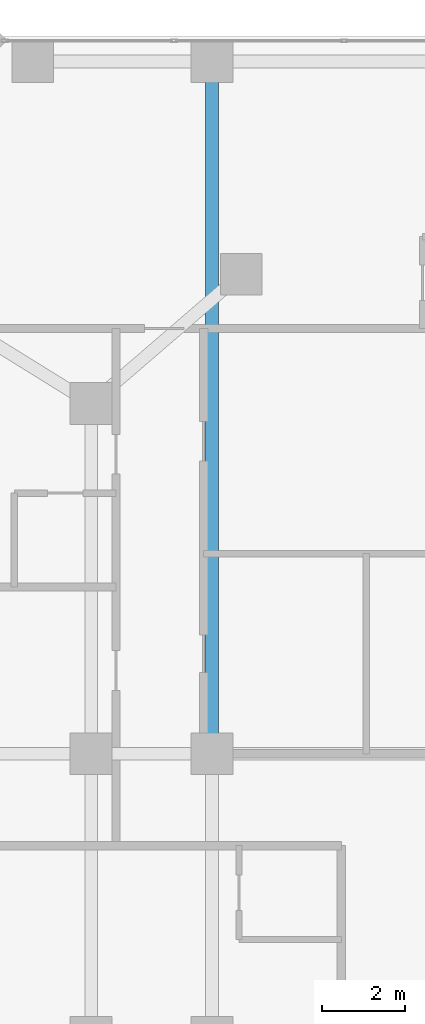
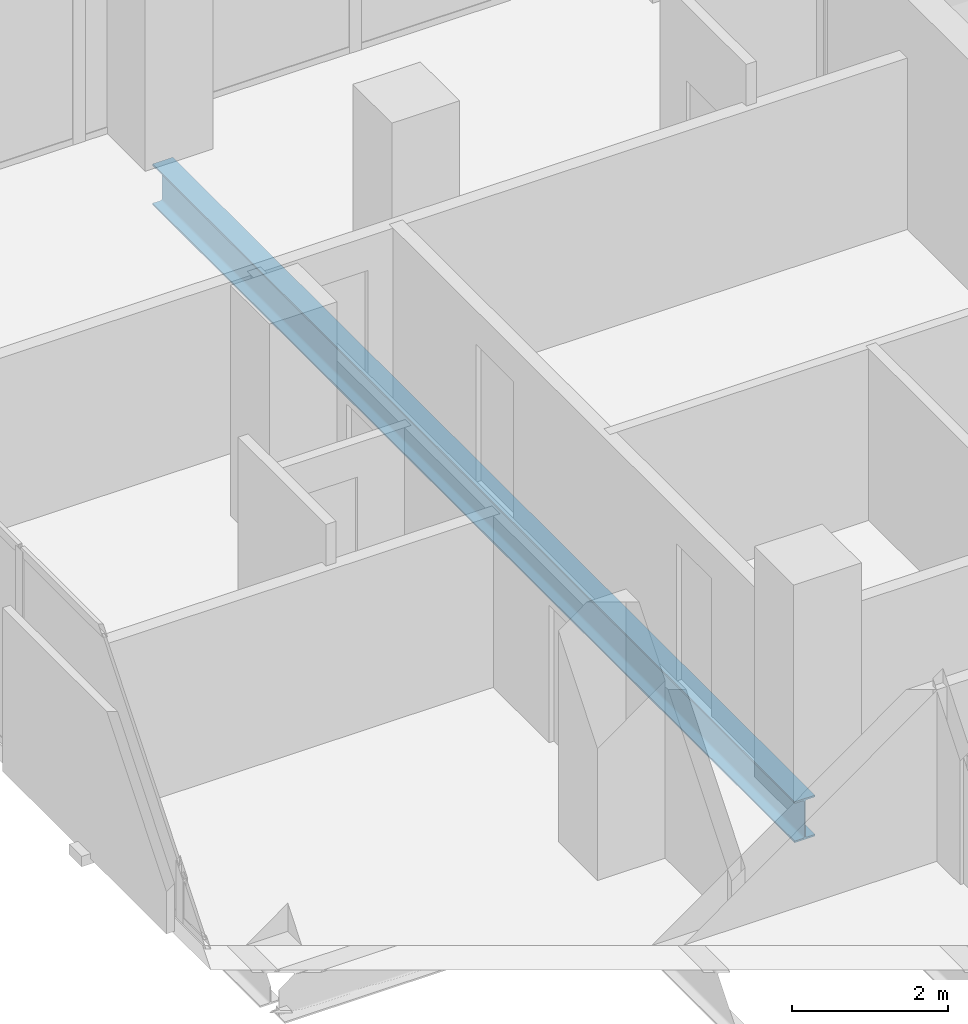
# One storey, part 17 of 32: 1 beam.
"""IFC4 building model written with IfcOpenShell, lengths in metres."""

from ifc_helpers import new_model, si_unit, direction, frame, origin, origin_2d, place, context, subcontext, project, spatial, i_section, extrude, material, material_profile, profile_set, type_object, element, save


model = new_model("IFC4")

# Units and contexts
model_context = context("Model", 3, precision=1e-05, world=origin(), true_north=direction((0.0, 1.0)))
body_context = subcontext(model_context, "Body", "Model", "MODEL_VIEW")
ifc_project = project(units=[si_unit("LENGTHUNIT", "METRE"), si_unit("AREAUNIT", "SQUARE_METRE"), si_unit("VOLUMEUNIT", "CUBIC_METRE"), si_unit("PLANEANGLEUNIT", "RADIAN"), si_unit("MASSUNIT", "GRAM", prefix="KILO")], contexts=[model_context])

# Site, building, storey
site_placement = place(None, origin())
site = spatial("IfcSite", under=ifc_project, at=site_placement, CompositionType="ELEMENT")
building_placement = place(site_placement, origin())
building = spatial("IfcBuilding", under=site, at=building_placement, Name="Catumbela Crestline Tower", CompositionType="ELEMENT")
storey_placement = place(building_placement, frame((0.0, 0.0, 33.0)))
storey = spatial("IfcBuildingStorey", under=building, at=storey_placement, Name="L07", CompositionType="ELEMENT", Elevation=33.0)

# Beam
ifc_material = material(Name="Structural steel S355J2", Category="steel")
ifc_material_profile = material_profile(ifc_material, i_section(OverallWidth=0.3, OverallDepth=0.64, WebThickness=0.0135, FlangeThickness=0.026, FilletRadius=0.027, at=origin_2d()), Name="HEA 650")
ifc_profile_set = profile_set([ifc_material_profile], Name="Structural steel S355J2")
beam_type = type_object("IfcBeamType", Name="BG-HEA650", PredefinedType="BEAM", material=ifc_profile_set)
beam_placement = place(storey_placement, frame((8.5, 30.88, -0.58), z_axis=(0.0, 1.0, 0.0), x_axis=(-1.0, 0.0, 0.0)))
element("IfcBeam", 1, at=beam_placement, inside=storey, type_object=beam_type, Name="L07 Beam BM-L07-SN30", PredefinedType="BEAM", context=body_context, shape_type="SweptSolid", body=[
    extrude(i_section(OverallWidth=0.3, OverallDepth=0.64, WebThickness=0.0135, FlangeThickness=0.026, FilletRadius=0.027, at=origin_2d()), origin(), (0.0, 0.0, 1.0), 16.44),
])

save(model, "model.ifc")
